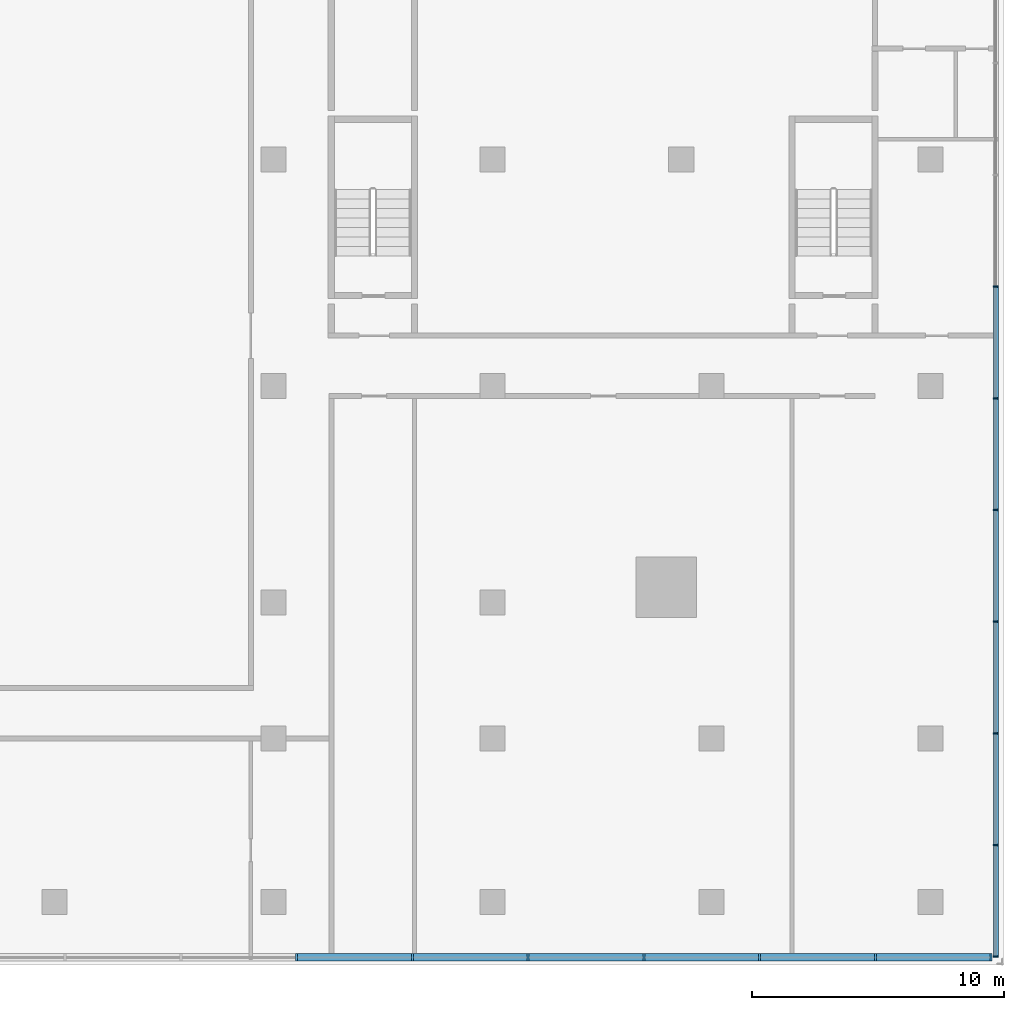
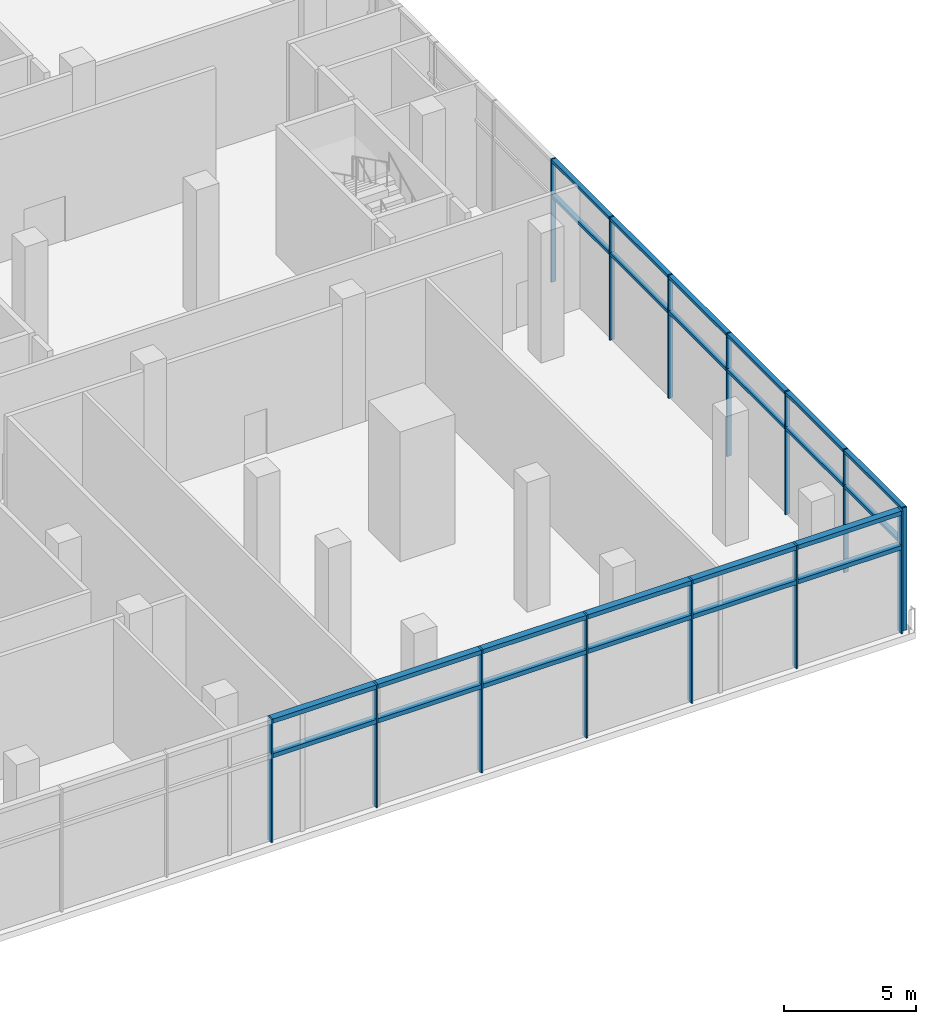
# One storey, part 7 of 21: 38 members, 2 elements without a shape of their own.
"""IFC4 building model written with IfcOpenShell, lengths in metres."""

from ifc_helpers import new_model, si_unit, direction, frame, origin, origin_2d, place, context, subcontext, project, spatial, rectangle, extrude, material, material_profile, profile_set, type_object, element, aggregate, save


model = new_model("IFC4")

# Units and contexts
model_context = context("Model", 3, precision=1e-05, world=origin(), true_north=direction((0.0, 1.0)))
body_context = subcontext(model_context, "Body", "Model", "MODEL_VIEW")
ifc_project = project(units=[si_unit("LENGTHUNIT", "METRE"), si_unit("AREAUNIT", "SQUARE_METRE"), si_unit("VOLUMEUNIT", "CUBIC_METRE"), si_unit("PLANEANGLEUNIT", "RADIAN"), si_unit("MASSUNIT", "GRAM", prefix="KILO")], contexts=[model_context])

# Site, building, storey
site_placement = place(None, origin())
site = spatial("IfcSite", under=ifc_project, at=site_placement, CompositionType="ELEMENT")
building_placement = place(site_placement, origin())
building = spatial("IfcBuilding", under=site, at=building_placement, Name="Bicima Exchange Tower", CompositionType="ELEMENT")
storey_placement = place(building_placement, frame((0.0, 0.0, 8.0)))
storey = spatial("IfcBuildingStorey", under=building, at=storey_placement, Name="L01", CompositionType="ELEMENT", Elevation=8.0)

# Curtain wall, members
ifc_material_1 = material(Name="Stainless steel", Category="steel")
curtain_wall_type_1 = type_object("IfcCurtainWallType", Name="Hall structural glazing", PredefinedType="NOTDEFINED", material=ifc_material_1)
curtain_wall_1_placement = place(storey_placement, origin())
curtain_wall_1 = element("IfcCurtainWall", 1, at=curtain_wall_1_placement, inside=storey, type_object=curtain_wall_type_1, Name="Podium glazing L01 south 1", PredefinedType="NOTDEFINED")
ifc_material_profile_1 = material_profile(ifc_material_1, rectangle(XDim=0.300048828125, YDim=0.080078125, at=origin_2d()))
ifc_profile_set_1 = profile_set([ifc_material_profile_1], Name="Stainless steel")
member_type_1 = type_object("IfcMemberType", Name="Hall structural glazing mullion 80 x 300", PredefinedType="MULLION", material=ifc_profile_set_1)
member_1_placement = place(storey_placement, frame((18.319091796875, -53.699951171875, 0.0), z_axis=(0.0, 0.0, 1.0), x_axis=(0.0, 1.0, 0.0)))
member_1 = element("IfcMember", 2, at=member_1_placement, type_object=member_type_1, Name="Hall structural glazing mullion 15", PredefinedType="MULLION", context=body_context, shape_type="SweptSolid", body=[
    extrude(rectangle(XDim=0.300048828125, YDim=0.080078125, at=origin_2d()), origin(), (0.0, 0.0, 1.0), 5.699951171875),
])
member_2_placement = place(storey_placement, frame((22.91748046875, -53.699951171875, 0.0), z_axis=(0.0, 0.0, 1.0), x_axis=(0.0, 1.0, 0.0)))
member_2 = element("IfcMember", 3, at=member_2_placement, type_object=member_type_1, Name="Hall structural glazing mullion 16", PredefinedType="MULLION", context=body_context, shape_type="SweptSolid", body=[
    extrude(rectangle(XDim=0.300048828125, YDim=0.080078125, at=origin_2d()), origin(), (0.0, 0.0, 1.0), 5.699951171875),
])
member_3_placement = place(storey_placement, frame((27.51611328125, -53.699951171875, 0.0), z_axis=(0.0, 0.0, 1.0), x_axis=(0.0, 1.0, 0.0)))
member_3 = element("IfcMember", 4, at=member_3_placement, type_object=member_type_1, Name="Hall structural glazing mullion 17", PredefinedType="MULLION", context=body_context, shape_type="SweptSolid", body=[
    extrude(rectangle(XDim=0.300048828125, YDim=0.080078125, at=origin_2d()), origin(), (0.0, 0.0, 1.0), 5.699951171875),
])
member_4_placement = place(storey_placement, frame((32.114501953125, -53.699951171875, 0.0), z_axis=(0.0, 0.0, 1.0), x_axis=(0.0, 1.0, 0.0)))
member_4 = element("IfcMember", 5, at=member_4_placement, type_object=member_type_1, Name="Hall structural glazing mullion 18", PredefinedType="MULLION", context=body_context, shape_type="SweptSolid", body=[
    extrude(rectangle(XDim=0.300048828125, YDim=0.080078125, at=origin_2d()), origin(), (0.0, 0.0, 1.0), 5.699951171875),
])
member_5_placement = place(storey_placement, frame((36.712890625, -53.699951171875, 0.0), z_axis=(0.0, 0.0, 1.0), x_axis=(0.0, 1.0, 0.0)))
member_5 = element("IfcMember", 6, at=member_5_placement, type_object=member_type_1, Name="Hall structural glazing mullion 19", PredefinedType="MULLION", context=body_context, shape_type="SweptSolid", body=[
    extrude(rectangle(XDim=0.300048828125, YDim=0.080078125, at=origin_2d()), origin(), (0.0, 0.0, 1.0), 5.699951171875),
])
member_6_placement = place(storey_placement, frame((41.3115234375, -53.699951171875, 0.0), z_axis=(0.0, 0.0, 1.0), x_axis=(0.0, 1.0, 0.0)))
member_6 = element("IfcMember", 7, at=member_6_placement, type_object=member_type_1, Name="Hall structural glazing mullion 20", PredefinedType="MULLION", context=body_context, shape_type="SweptSolid", body=[
    extrude(rectangle(XDim=0.300048828125, YDim=0.080078125, at=origin_2d()), origin(), (0.0, 0.0, 1.0), 5.699951171875),
])
member_7_placement = place(storey_placement, frame((45.909912109375, -53.699951171875, 0.0), z_axis=(0.0, 0.0, 1.0), x_axis=(0.0, 1.0, 0.0)))
member_7 = element("IfcMember", 8, at=member_7_placement, type_object=member_type_1, Name="Hall structural glazing mullion 21", PredefinedType="MULLION", context=body_context, shape_type="SweptSolid", body=[
    extrude(rectangle(XDim=0.300048828125, YDim=0.080078125, at=origin_2d()), origin(), (0.0, 0.0, 1.0), 5.699951171875),
])
ifc_material_profile_2 = material_profile(ifc_material_1, rectangle(XDim=0.300048828125, YDim=0.199951171875, at=origin_2d()))
ifc_profile_set_2 = profile_set([ifc_material_profile_2], Name="Stainless steel")
member_type_2 = type_object("IfcMemberType", Name="Hall structural glazing transom 200 x 300", PredefinedType="USERDEFINED", material=ifc_profile_set_2)
member_8_placement = place(storey_placement, frame((18.35888671875, -53.699951171875, 4.0), z_axis=(1.0, 0.0, 0.0), x_axis=(0.0, 1.0, 0.0)))
member_8 = element("IfcMember", 9, at=member_8_placement, type_object=member_type_2, Name="Hall structural glazing transom 15.1", ObjectType="TRANSOM", PredefinedType="USERDEFINED", context=body_context, shape_type="SweptSolid", body=[
    extrude(rectangle(XDim=0.300048828125, YDim=0.199951171875, at=origin_2d()), origin(), (0.0, 0.0, 1.0), 4.5185546875),
])
member_9_placement = place(storey_placement, frame((18.35888671875, -53.699951171875, 5.60009765625), z_axis=(1.0, 0.0, 0.0), x_axis=(0.0, 1.0, 0.0)))
member_9 = element("IfcMember", 10, at=member_9_placement, type_object=member_type_2, Name="Hall structural glazing transom 15.2", ObjectType="TRANSOM", PredefinedType="USERDEFINED", context=body_context, shape_type="SweptSolid", body=[
    extrude(rectangle(XDim=0.300048828125, YDim=0.199951171875, at=origin_2d()), origin(), (0.0, 0.0, 1.0), 4.5185546875),
])
member_10_placement = place(storey_placement, frame((22.95751953125, -53.699951171875, 4.0), z_axis=(1.0, 0.0, 0.0), x_axis=(0.0, 1.0, 0.0)))
member_10 = element("IfcMember", 11, at=member_10_placement, type_object=member_type_2, Name="Hall structural glazing transom 16.1", ObjectType="TRANSOM", PredefinedType="USERDEFINED", context=body_context, shape_type="SweptSolid", body=[
    extrude(rectangle(XDim=0.300048828125, YDim=0.199951171875, at=origin_2d()), origin(), (0.0, 0.0, 1.0), 4.5185546875),
])
member_11_placement = place(storey_placement, frame((22.95751953125, -53.699951171875, 5.60009765625), z_axis=(1.0, 0.0, 0.0), x_axis=(0.0, 1.0, 0.0)))
member_11 = element("IfcMember", 12, at=member_11_placement, type_object=member_type_2, Name="Hall structural glazing transom 16.2", ObjectType="TRANSOM", PredefinedType="USERDEFINED", context=body_context, shape_type="SweptSolid", body=[
    extrude(rectangle(XDim=0.300048828125, YDim=0.199951171875, at=origin_2d()), origin(), (0.0, 0.0, 1.0), 4.5185546875),
])
member_12_placement = place(storey_placement, frame((27.555908203125, -53.699951171875, 4.0), z_axis=(1.0, 0.0, 0.0), x_axis=(0.0, 1.0, 0.0)))
member_12 = element("IfcMember", 13, at=member_12_placement, type_object=member_type_2, Name="Hall structural glazing transom 17.1", ObjectType="TRANSOM", PredefinedType="USERDEFINED", context=body_context, shape_type="SweptSolid", body=[
    extrude(rectangle(XDim=0.300048828125, YDim=0.199951171875, at=origin_2d()), origin(), (0.0, 0.0, 1.0), 4.5185546875),
])
member_13_placement = place(storey_placement, frame((27.555908203125, -53.699951171875, 5.60009765625), z_axis=(1.0, 0.0, 0.0), x_axis=(0.0, 1.0, 0.0)))
member_13 = element("IfcMember", 14, at=member_13_placement, type_object=member_type_2, Name="Hall structural glazing transom 17.2", ObjectType="TRANSOM", PredefinedType="USERDEFINED", context=body_context, shape_type="SweptSolid", body=[
    extrude(rectangle(XDim=0.300048828125, YDim=0.199951171875, at=origin_2d()), origin(), (0.0, 0.0, 1.0), 4.5185546875),
])
member_14_placement = place(storey_placement, frame((32.154541015625, -53.699951171875, 4.0), z_axis=(1.0, 0.0, 0.0), x_axis=(0.0, 1.0, 0.0)))
member_14 = element("IfcMember", 15, at=member_14_placement, type_object=member_type_2, Name="Hall structural glazing transom 18.1", ObjectType="TRANSOM", PredefinedType="USERDEFINED", context=body_context, shape_type="SweptSolid", body=[
    extrude(rectangle(XDim=0.300048828125, YDim=0.199951171875, at=origin_2d()), origin(), (0.0, 0.0, 1.0), 4.5185546875),
])
member_15_placement = place(storey_placement, frame((32.154541015625, -53.699951171875, 5.60009765625), z_axis=(1.0, 0.0, 0.0), x_axis=(0.0, 1.0, 0.0)))
member_15 = element("IfcMember", 16, at=member_15_placement, type_object=member_type_2, Name="Hall structural glazing transom 18.2", ObjectType="TRANSOM", PredefinedType="USERDEFINED", context=body_context, shape_type="SweptSolid", body=[
    extrude(rectangle(XDim=0.300048828125, YDim=0.199951171875, at=origin_2d()), origin(), (0.0, 0.0, 1.0), 4.5185546875),
])
member_16_placement = place(storey_placement, frame((36.7529296875, -53.699951171875, 4.0), z_axis=(1.0, 0.0, 0.0), x_axis=(0.0, 1.0, 0.0)))
member_16 = element("IfcMember", 17, at=member_16_placement, type_object=member_type_2, Name="Hall structural glazing transom 19.1", ObjectType="TRANSOM", PredefinedType="USERDEFINED", context=body_context, shape_type="SweptSolid", body=[
    extrude(rectangle(XDim=0.300048828125, YDim=0.199951171875, at=origin_2d()), origin(), (0.0, 0.0, 1.0), 4.5185546875),
])
member_17_placement = place(storey_placement, frame((36.7529296875, -53.699951171875, 5.60009765625), z_axis=(1.0, 0.0, 0.0), x_axis=(0.0, 1.0, 0.0)))
member_17 = element("IfcMember", 18, at=member_17_placement, type_object=member_type_2, Name="Hall structural glazing transom 19.2", ObjectType="TRANSOM", PredefinedType="USERDEFINED", context=body_context, shape_type="SweptSolid", body=[
    extrude(rectangle(XDim=0.300048828125, YDim=0.199951171875, at=origin_2d()), origin(), (0.0, 0.0, 1.0), 4.5185546875),
])
member_18_placement = place(storey_placement, frame((41.3515625, -53.699951171875, 4.0), z_axis=(1.0, 0.0, 0.0), x_axis=(0.0, 1.0, 0.0)))
member_18 = element("IfcMember", 19, at=member_18_placement, type_object=member_type_2, Name="Hall structural glazing transom 20.1", ObjectType="TRANSOM", PredefinedType="USERDEFINED", context=body_context, shape_type="SweptSolid", body=[
    extrude(rectangle(XDim=0.300048828125, YDim=0.199951171875, at=origin_2d()), origin(), (0.0, 0.0, 1.0), 4.5185546875),
])
member_19_placement = place(storey_placement, frame((41.3515625, -53.699951171875, 5.60009765625), z_axis=(1.0, 0.0, 0.0), x_axis=(0.0, 1.0, 0.0)))
member_19 = element("IfcMember", 20, at=member_19_placement, type_object=member_type_2, Name="Hall structural glazing transom 20.2", ObjectType="TRANSOM", PredefinedType="USERDEFINED", context=body_context, shape_type="SweptSolid", body=[
    extrude(rectangle(XDim=0.300048828125, YDim=0.199951171875, at=origin_2d()), origin(), (0.0, 0.0, 1.0), 4.5185546875),
])
aggregate(curtain_wall_1, [member_1, member_2, member_3, member_4, member_5, member_6, member_7, member_8, member_9, member_10, member_11, member_12, member_13, member_14, member_15, member_16, member_17, member_18, member_19])

ifc_material_2 = material(Name="Anodised bronze aluminium", Category="aluminium")
curtain_wall_type_2 = type_object("IfcCurtainWallType", Name="Lobby glazing", PredefinedType="NOTDEFINED", material=ifc_material_2)
curtain_wall_2_placement = place(storey_placement, origin())
curtain_wall_2 = element("IfcCurtainWall", 21, at=curtain_wall_2_placement, inside=storey, type_object=curtain_wall_type_2, Name="Podium glazing L01 east 1", PredefinedType="NOTDEFINED")
ifc_material_profile_3 = material_profile(ifc_material_2, rectangle(XDim=0.199951171875, YDim=0.06005859375, at=origin_2d()))
ifc_profile_set_3 = profile_set([ifc_material_profile_3], Name="Anodised bronze aluminium")
member_type_3 = type_object("IfcMemberType", Name="Lobby glazing mullion 60 x 200", PredefinedType="MULLION", material=ifc_profile_set_3)
member_20_placement = place(storey_placement, frame((46.10009765625, -53.669921875, 0.0), z_axis=(0.0, 0.0, 1.0), x_axis=(-1.0, 0.0, 0.0)))
member_20 = element("IfcMember", 22, at=member_20_placement, type_object=member_type_3, Name="Lobby glazing mullion 1", PredefinedType="MULLION", context=body_context, shape_type="SweptSolid", body=[
    extrude(rectangle(XDim=0.199951171875, YDim=0.06005859375, at=origin_2d()), origin(), (0.0, 0.0, 1.0), 5.699951171875),
])
member_21_placement = place(storey_placement, frame((46.10009765625, -49.2333984375, 0.0), z_axis=(0.0, 0.0, 1.0), x_axis=(-1.0, 0.0, 0.0)))
member_21 = element("IfcMember", 23, at=member_21_placement, type_object=member_type_3, Name="Lobby glazing mullion 2", PredefinedType="MULLION", context=body_context, shape_type="SweptSolid", body=[
    extrude(rectangle(XDim=0.199951171875, YDim=0.06005859375, at=origin_2d()), origin(), (0.0, 0.0, 1.0), 5.699951171875),
])
member_22_placement = place(storey_placement, frame((46.10009765625, -44.796630859375, 0.0), z_axis=(0.0, 0.0, 1.0), x_axis=(-1.0, 0.0, 0.0)))
member_22 = element("IfcMember", 24, at=member_22_placement, type_object=member_type_3, Name="Lobby glazing mullion 3", PredefinedType="MULLION", context=body_context, shape_type="SweptSolid", body=[
    extrude(rectangle(XDim=0.199951171875, YDim=0.06005859375, at=origin_2d()), origin(), (0.0, 0.0, 1.0), 5.699951171875),
])
member_23_placement = place(storey_placement, frame((46.10009765625, -40.360107421875, 0.0), z_axis=(0.0, 0.0, 1.0), x_axis=(-1.0, 0.0, 0.0)))
member_23 = element("IfcMember", 25, at=member_23_placement, type_object=member_type_3, Name="Lobby glazing mullion 4", PredefinedType="MULLION", context=body_context, shape_type="SweptSolid", body=[
    extrude(rectangle(XDim=0.199951171875, YDim=0.06005859375, at=origin_2d()), origin(), (0.0, 0.0, 1.0), 5.699951171875),
])
member_24_placement = place(storey_placement, frame((46.10009765625, -35.92333984375, 0.0), z_axis=(0.0, 0.0, 1.0), x_axis=(-1.0, 0.0, 0.0)))
member_24 = element("IfcMember", 26, at=member_24_placement, type_object=member_type_3, Name="Lobby glazing mullion 5", PredefinedType="MULLION", context=body_context, shape_type="SweptSolid", body=[
    extrude(rectangle(XDim=0.199951171875, YDim=0.06005859375, at=origin_2d()), origin(), (0.0, 0.0, 1.0), 5.699951171875),
])
member_25_placement = place(storey_placement, frame((46.10009765625, -31.48681640625, 0.0), z_axis=(0.0, 0.0, 1.0), x_axis=(-1.0, 0.0, 0.0)))
member_25 = element("IfcMember", 27, at=member_25_placement, type_object=member_type_3, Name="Lobby glazing mullion 6", PredefinedType="MULLION", context=body_context, shape_type="SweptSolid", body=[
    extrude(rectangle(XDim=0.199951171875, YDim=0.06005859375, at=origin_2d()), origin(), (0.0, 0.0, 1.0), 5.699951171875),
])
member_26_placement = place(storey_placement, frame((46.10009765625, -27.050048828125, 0.0), z_axis=(0.0, 0.0, 1.0), x_axis=(-1.0, 0.0, 0.0)))
member_26 = element("IfcMember", 28, at=member_26_placement, type_object=member_type_3, Name="Lobby glazing mullion 7", PredefinedType="MULLION", context=body_context, shape_type="SweptSolid", body=[
    extrude(rectangle(XDim=0.199951171875, YDim=0.06005859375, at=origin_2d()), origin(), (0.0, 0.0, 1.0), 5.699951171875),
])
ifc_material_profile_4 = material_profile(ifc_material_2, rectangle(XDim=0.199951171875, YDim=0.139892578125, at=origin_2d()))
ifc_profile_set_4 = profile_set([ifc_material_profile_4], Name="Anodised bronze aluminium")
member_type_4 = type_object("IfcMemberType", Name="Lobby glazing transom 140 x 200", PredefinedType="USERDEFINED", material=ifc_profile_set_4)
member_27_placement = place(storey_placement, frame((46.10009765625, -53.639892578125, 4.0), z_axis=(0.0, 1.0, 0.0), x_axis=(-1.0, 0.0, 0.0)))
member_27 = element("IfcMember", 29, at=member_27_placement, type_object=member_type_4, Name="Lobby glazing transom 1.1", ObjectType="TRANSOM", PredefinedType="USERDEFINED", context=body_context, shape_type="SweptSolid", body=[
    extrude(rectangle(XDim=0.199951171875, YDim=0.139892578125, at=origin_2d()), origin(), (0.0, 0.0, 1.0), 4.376708984375),
])
member_28_placement = place(storey_placement, frame((46.10009765625, -53.639892578125, 5.6298828125), z_axis=(0.0, 1.0, 0.0), x_axis=(-1.0, 0.0, 0.0)))
member_28 = element("IfcMember", 30, at=member_28_placement, type_object=member_type_4, Name="Lobby glazing transom 1.2", ObjectType="TRANSOM", PredefinedType="USERDEFINED", context=body_context, shape_type="SweptSolid", body=[
    extrude(rectangle(XDim=0.199951171875, YDim=0.139892578125, at=origin_2d()), origin(), (0.0, 0.0, 1.0), 4.376708984375),
])
member_29_placement = place(storey_placement, frame((46.10009765625, -49.203369140625, 4.0), z_axis=(0.0, 1.0, 0.0), x_axis=(-1.0, 0.0, 0.0)))
member_29 = element("IfcMember", 31, at=member_29_placement, type_object=member_type_4, Name="Lobby glazing transom 2.1", ObjectType="TRANSOM", PredefinedType="USERDEFINED", context=body_context, shape_type="SweptSolid", body=[
    extrude(rectangle(XDim=0.199951171875, YDim=0.139892578125, at=origin_2d()), origin(), (0.0, 0.0, 1.0), 4.376708984375),
])
member_30_placement = place(storey_placement, frame((46.10009765625, -49.203369140625, 5.6298828125), z_axis=(0.0, 1.0, 0.0), x_axis=(-1.0, 0.0, 0.0)))
member_30 = element("IfcMember", 32, at=member_30_placement, type_object=member_type_4, Name="Lobby glazing transom 2.2", ObjectType="TRANSOM", PredefinedType="USERDEFINED", context=body_context, shape_type="SweptSolid", body=[
    extrude(rectangle(XDim=0.199951171875, YDim=0.139892578125, at=origin_2d()), origin(), (0.0, 0.0, 1.0), 4.376708984375),
])
member_31_placement = place(storey_placement, frame((46.10009765625, -44.7666015625, 4.0), z_axis=(0.0, 1.0, 0.0), x_axis=(-1.0, 0.0, 0.0)))
member_31 = element("IfcMember", 33, at=member_31_placement, type_object=member_type_4, Name="Lobby glazing transom 3.1", ObjectType="TRANSOM", PredefinedType="USERDEFINED", context=body_context, shape_type="SweptSolid", body=[
    extrude(rectangle(XDim=0.199951171875, YDim=0.139892578125, at=origin_2d()), origin(), (0.0, 0.0, 1.0), 4.376708984375),
])
member_32_placement = place(storey_placement, frame((46.10009765625, -44.7666015625, 5.6298828125), z_axis=(0.0, 1.0, 0.0), x_axis=(-1.0, 0.0, 0.0)))
member_32 = element("IfcMember", 34, at=member_32_placement, type_object=member_type_4, Name="Lobby glazing transom 3.2", ObjectType="TRANSOM", PredefinedType="USERDEFINED", context=body_context, shape_type="SweptSolid", body=[
    extrude(rectangle(XDim=0.199951171875, YDim=0.139892578125, at=origin_2d()), origin(), (0.0, 0.0, 1.0), 4.376708984375),
])
member_33_placement = place(storey_placement, frame((46.10009765625, -40.330078125, 4.0), z_axis=(0.0, 1.0, 0.0), x_axis=(-1.0, 0.0, 0.0)))
member_33 = element("IfcMember", 35, at=member_33_placement, type_object=member_type_4, Name="Lobby glazing transom 4.1", ObjectType="TRANSOM", PredefinedType="USERDEFINED", context=body_context, shape_type="SweptSolid", body=[
    extrude(rectangle(XDim=0.199951171875, YDim=0.139892578125, at=origin_2d()), origin(), (0.0, 0.0, 1.0), 4.376708984375),
])
member_34_placement = place(storey_placement, frame((46.10009765625, -40.330078125, 5.6298828125), z_axis=(0.0, 1.0, 0.0), x_axis=(-1.0, 0.0, 0.0)))
member_34 = element("IfcMember", 36, at=member_34_placement, type_object=member_type_4, Name="Lobby glazing transom 4.2", ObjectType="TRANSOM", PredefinedType="USERDEFINED", context=body_context, shape_type="SweptSolid", body=[
    extrude(rectangle(XDim=0.199951171875, YDim=0.139892578125, at=origin_2d()), origin(), (0.0, 0.0, 1.0), 4.376708984375),
])
member_35_placement = place(storey_placement, frame((46.10009765625, -35.893310546875, 4.0), z_axis=(0.0, 1.0, 0.0), x_axis=(-1.0, 0.0, 0.0)))
member_35 = element("IfcMember", 37, at=member_35_placement, type_object=member_type_4, Name="Lobby glazing transom 5.1", ObjectType="TRANSOM", PredefinedType="USERDEFINED", context=body_context, shape_type="SweptSolid", body=[
    extrude(rectangle(XDim=0.199951171875, YDim=0.139892578125, at=origin_2d()), origin(), (0.0, 0.0, 1.0), 4.376708984375),
])
member_36_placement = place(storey_placement, frame((46.10009765625, -35.893310546875, 5.6298828125), z_axis=(0.0, 1.0, 0.0), x_axis=(-1.0, 0.0, 0.0)))
member_36 = element("IfcMember", 38, at=member_36_placement, type_object=member_type_4, Name="Lobby glazing transom 5.2", ObjectType="TRANSOM", PredefinedType="USERDEFINED", context=body_context, shape_type="SweptSolid", body=[
    extrude(rectangle(XDim=0.199951171875, YDim=0.139892578125, at=origin_2d()), origin(), (0.0, 0.0, 1.0), 4.376708984375),
])
member_37_placement = place(storey_placement, frame((46.10009765625, -31.456787109375, 4.0), z_axis=(0.0, 1.0, 0.0), x_axis=(-1.0, 0.0, 0.0)))
member_37 = element("IfcMember", 39, at=member_37_placement, type_object=member_type_4, Name="Lobby glazing transom 6.1", ObjectType="TRANSOM", PredefinedType="USERDEFINED", context=body_context, shape_type="SweptSolid", body=[
    extrude(rectangle(XDim=0.199951171875, YDim=0.139892578125, at=origin_2d()), origin(), (0.0, 0.0, 1.0), 4.376708984375),
])
member_38_placement = place(storey_placement, frame((46.10009765625, -31.456787109375, 5.6298828125), z_axis=(0.0, 1.0, 0.0), x_axis=(-1.0, 0.0, 0.0)))
member_38 = element("IfcMember", 40, at=member_38_placement, type_object=member_type_4, Name="Lobby glazing transom 6.2", ObjectType="TRANSOM", PredefinedType="USERDEFINED", context=body_context, shape_type="SweptSolid", body=[
    extrude(rectangle(XDim=0.199951171875, YDim=0.139892578125, at=origin_2d()), origin(), (0.0, 0.0, 1.0), 4.376708984375),
])
aggregate(curtain_wall_2, [member_20, member_21, member_22, member_23, member_24, member_25, member_26, member_27, member_28, member_29, member_30, member_31, member_32, member_33, member_34, member_35, member_36, member_37, member_38])

save(model, "model.ifc")
